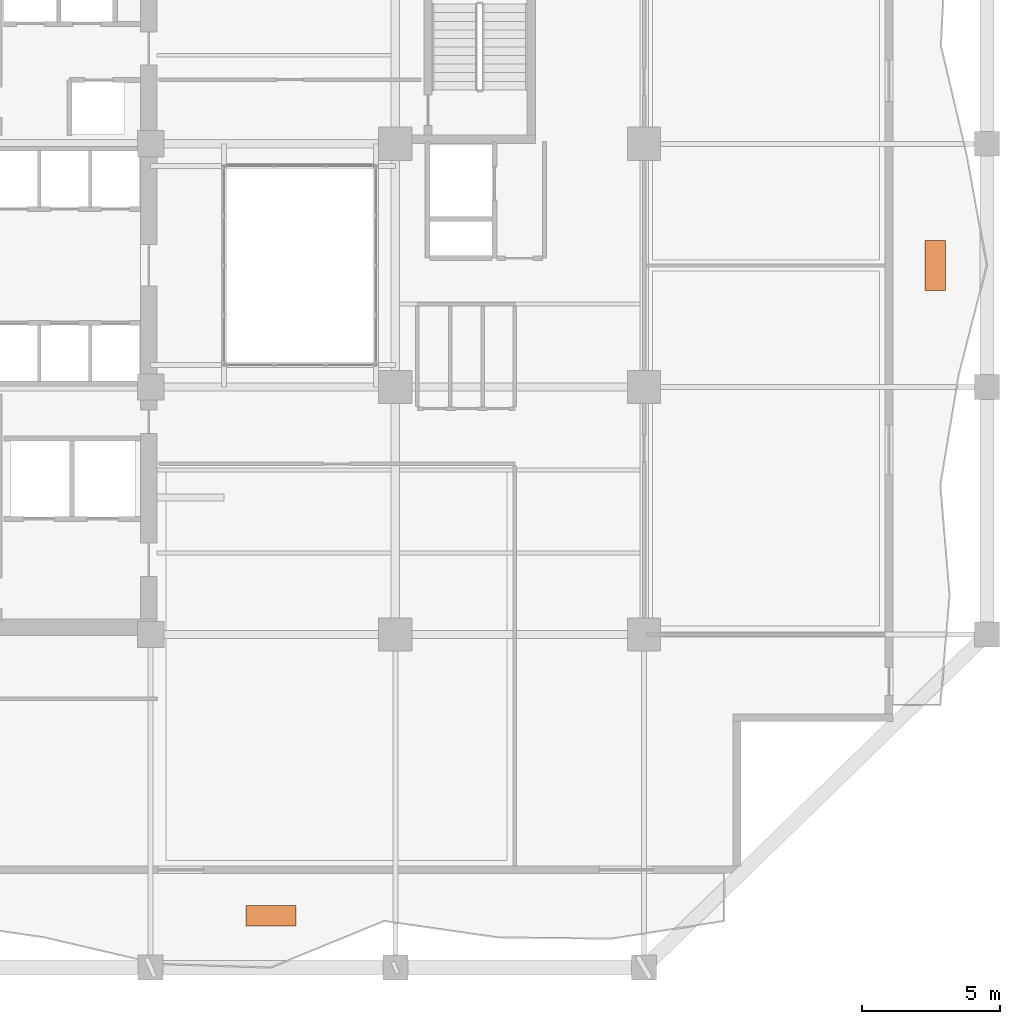
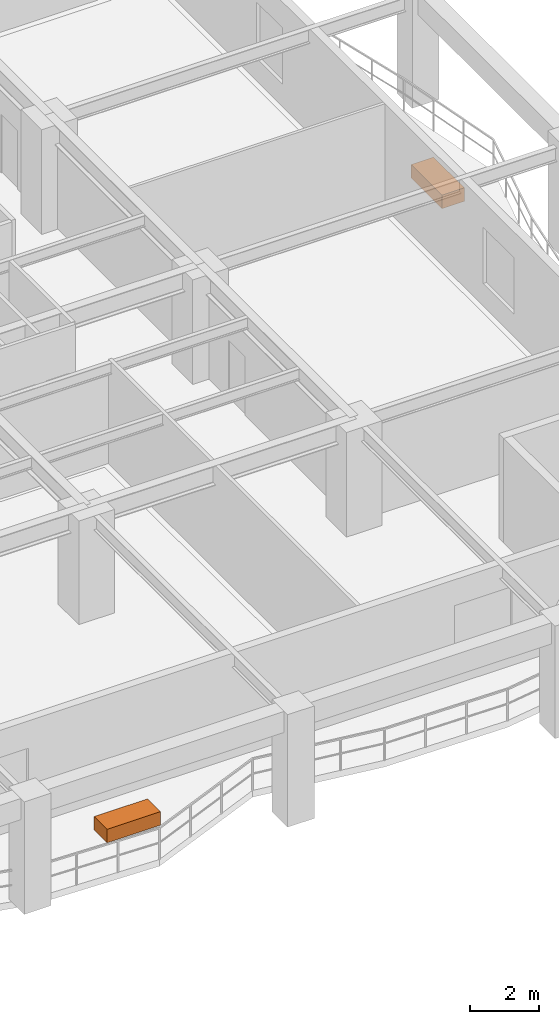
# One storey, part 17 of 17: 2 proxies.
"""IFC4 building model written with IfcOpenShell, lengths in metres."""

from ifc_helpers import new_model, si_unit, direction, frame, origin, origin_2d, place, context, subcontext, project, spatial, rectangle, extrude, material, type_object, element, save


model = new_model("IFC4")

# Units and contexts
model_context = context("Model", 3, precision=1e-05, world=origin(), true_north=direction((0.0, 1.0)))
body_context = subcontext(model_context, "Body", "Model", "MODEL_VIEW")
ifc_project = project(units=[si_unit("LENGTHUNIT", "METRE"), si_unit("AREAUNIT", "SQUARE_METRE"), si_unit("VOLUMEUNIT", "CUBIC_METRE"), si_unit("PLANEANGLEUNIT", "RADIAN"), si_unit("MASSUNIT", "GRAM", prefix="KILO")], contexts=[model_context])

# Site, building, storey
site_placement = place(None, origin())
site = spatial("IfcSite", under=ifc_project, at=site_placement, CompositionType="ELEMENT")
building_placement = place(site_placement, origin())
building = spatial("IfcBuilding", under=site, at=building_placement, Name="Kundavana Baori Tower", CompositionType="ELEMENT")
storey_placement = place(building_placement, frame((0.0, 0.0, 30.0)))
storey = spatial("IfcBuildingStorey", under=building, at=storey_placement, Name="L06", CompositionType="ELEMENT", Elevation=30.0)

# Proxies
ifc_material = material(Name="Red-Buff Dholpur Sandstone Cladding on Concrete C40/50", Category="masonry")
building_element_proxy_type = type_object("IfcBuildingElementProxyType", Name="PRX-PLANTER-1800", PredefinedType="USERDEFINED", material=ifc_material)
for number, where, z_axis, x_axis, name in (
    (1, (29.300048828125, 5.070068359375, 0.0), (0.0, 0.0, 1.0), (1.0, 0.0, 0.0), "L06 Dholpur Stone Structural Tree Planter S"),
    (2, (53.330078125, 28.60009765625, 0.0), (0.0, 0.0, 1.0), (0.0, 1.0, 0.0), "L06 Dholpur Stone Structural Tree Planter E"),
):
    element("IfcBuildingElementProxy", number, at=place(storey_placement, frame(where, z_axis=z_axis, x_axis=x_axis)), inside=storey, type_object=building_element_proxy_type, Name=name, ObjectType="PLANTER", PredefinedType="USERDEFINED", context=body_context, shape_type="SweptSolid", body=[
        extrude(rectangle(XDim=1.800048828125, YDim=0.75, at=origin_2d()), origin(), (0.0, 0.0, 1.0), 0.47998046875),
    ])

save(model, "model.ifc")
